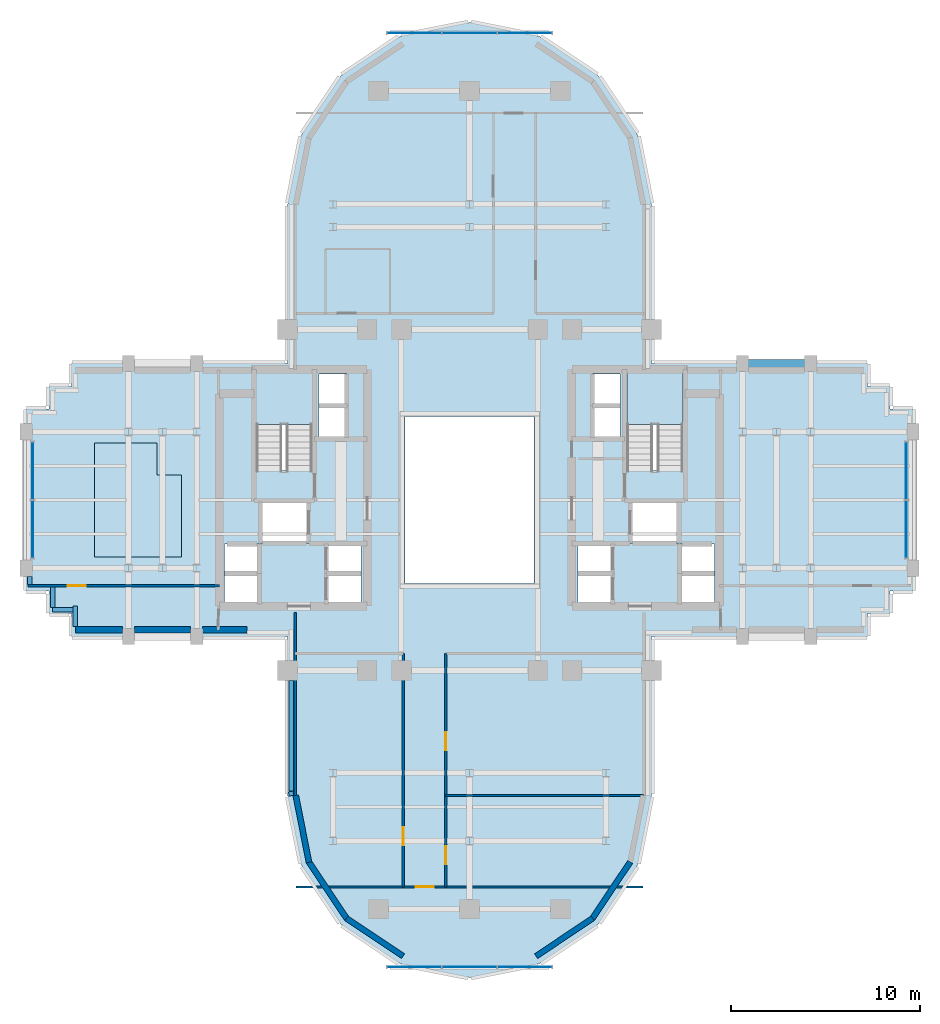
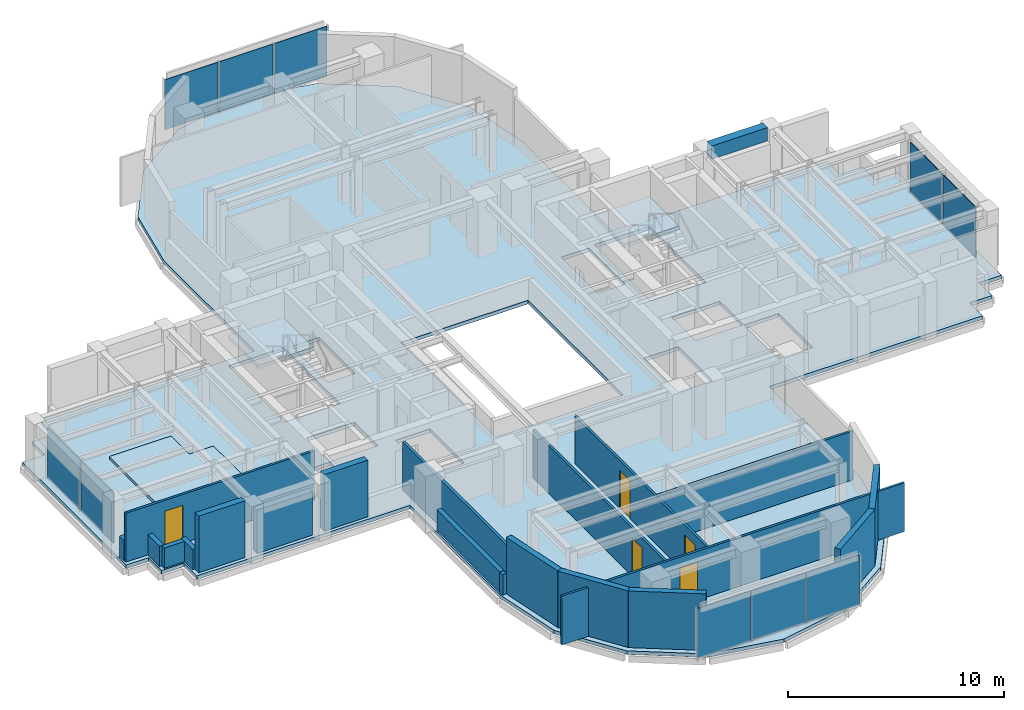
# One storey, part 7 of 13: 20 walls, 10 plates, 5 doors, 4 slabs, 1 beam, 5 openings, 6 elements without a shape of their own.
"""IFC4 building model written with IfcOpenShell, lengths in metres."""

from ifc_helpers import new_model, si_unit, direction, frame, frame_2d, origin, origin_2d, place, context, subcontext, project, spatial, polyline, rectangle, outline, extrude, source, transform, mapped, material, layer, layer_set, material_profile, profile_set, type_object, element, fill, aggregate, save


model = new_model("IFC4")

# Units and contexts
model_context = context("Model", 3, precision=1e-05, world=origin(), true_north=direction((0.0, 1.0)))
body_context = subcontext(model_context, "Body", "Model", "MODEL_VIEW")
ifc_project = project(units=[si_unit("LENGTHUNIT", "METRE"), si_unit("AREAUNIT", "SQUARE_METRE"), si_unit("VOLUMEUNIT", "CUBIC_METRE"), si_unit("PLANEANGLEUNIT", "RADIAN"), si_unit("MASSUNIT", "GRAM", prefix="KILO")], contexts=[model_context])

# Site, building, storey
site_placement = place(None, origin())
site = spatial("IfcSite", under=ifc_project, at=site_placement, CompositionType="ELEMENT")
building_placement = place(site_placement, origin())
building = spatial("IfcBuilding", under=site, at=building_placement, Name="Keilestroom Media Tower", CompositionType="ELEMENT")
storey_placement = place(building_placement, frame((0.0, 0.0, 97.199951171875)))
storey = spatial("IfcBuildingStorey", under=building, at=storey_placement, Name="L25", CompositionType="ELEMENT", Elevation=97.199951171875)

# Beam
ifc_material_1 = material(Name="Precast concrete C40/50", Category="concrete")
ifc_material_profile = material_profile(ifc_material_1, rectangle(XDim=0.449951171875, YDim=0.75, at=origin_2d()), Name="PC 450x750")
ifc_profile_set = profile_set([ifc_material_profile], Name="Precast concrete C40/50")
beam_type = type_object("IfcBeamType", Name="Perimeter-Spandrel-Beam-PC-450x750", PredefinedType="SPANDREL", material=ifc_profile_set)
shared_shape_1 = source(origin(), body_context, "Body", "SweptSolid", [
    extrude(rectangle(XDim=0.449951171875, YDim=0.75, at=origin_2d()), origin(), (0.0, 0.0, 1.0), 2.989990234375),
])
beam_placement = place(storey_placement, frame((14.705078125, 7.199951171875, 2.824951171875), z_axis=(1.0, 0.0, 0.0), x_axis=(0.0, 1.0, 0.0)))
element("IfcBeam", 1, at=beam_placement, inside=storey, type_object=beam_type, Name="L25 Beam SPB-1 BM-L25-EW-027", PredefinedType="SPANDREL", context=body_context, shape_type="MappedRepresentation", body=[
    mapped(shared_shape_1, transform((0.0, 0.0, 0.0), x_axis=(1.0, 0.0, 0.0), y_axis=(0.0, 1.0, 0.0), z_axis=(0.0, 0.0, 1.0), scale=1.0)),
])

# Slabs
ifc_material_2 = material(Name="Concrete C50/60", Category="concrete")
ifc_layer_1 = layer(ifc_material_2, 0.199951171875)
ifc_layer_set_1 = layer_set([ifc_layer_1], Name="Concrete C50/60")
slab_type_1 = type_object("IfcSlabType", Name="Composite-Floor-Slab-200", PredefinedType="FLOOR", material=ifc_layer_set_1)
slab_1_placement = place(storey_placement, frame((0.0, 0.0, -0.199951171875)))
element("IfcSlab", 2, at=slab_1_placement, inside=storey, type_object=slab_type_1, Name="L25 Structural Composite Floor Slab", PredefinedType="FLOOR", context=body_context, shape_type="SweptSolid", body=[
    extrude(outline(polyline([(23.39990234375, -4.800048828125), (23.39990234375, 4.800048828125), (22.199951171875, 4.800048828125), (22.199951171875, 6.0), (21.0, 6.0), (21.0, 7.199951171875), (9.60009765625, 7.199951171875), (9.60009765625, 9.60009765625), (9.60009765625, 15.60009765625), (8.869140625, 19.273681640625), (6.7880859375, 22.38818359375), (3.673828125, 24.46923828125), (0.0, 25.199951171875), (-3.673828125, 24.46923828125), (-6.7880859375, 22.38818359375), (-8.869140625, 19.273681640625), (-9.60009765625, 15.60009765625), (-9.60009765625, 9.60009765625), (-9.60009765625, 7.199951171875), (-21.0, 7.199951171875), (-21.0, 6.0), (-22.199951171875, 6.0), (-22.199951171875, 4.800048828125), (-23.39990234375, 4.800048828125), (-23.39990234375, -4.800048828125), (-22.199951171875, -4.800048828125), (-22.199951171875, -6.0), (-21.0, -6.0), (-21.0, -7.199951171875), (-9.60009765625, -7.199951171875), (-9.60009765625, -9.60009765625), (-9.60009765625, -15.60009765625), (-8.869140625, -19.273681640625), (-6.7880859375, -22.38818359375), (-3.673828125, -24.46923828125), (0.0, -25.199951171875), (3.673828125, -24.46923828125), (6.7880859375, -22.38818359375), (8.869140625, -19.273681640625), (9.60009765625, -15.60009765625), (9.60009765625, -9.60009765625), (9.60009765625, -7.199951171875), (21.0, -7.199951171875), (21.0, -6.0), (22.199951171875, -6.0), (22.199951171875, -4.800048828125), (23.39990234375, -4.800048828125)]), holes=[polyline([(-12.919921875, -5.47998046875), (-12.919921875, -2.320068359375), (-11.080078125, -2.320068359375), (-11.080078125, -5.47998046875), (-12.919921875, -5.47998046875)]), polyline([(-11.260009765625, 1.544921875), (-11.260009765625, 6.760009765625), (-8.300048828125, 6.760009765625), (-8.300048828125, 1.544921875), (-11.260009765625, 1.544921875)]), polyline([(-11.050048828125, -2.280029296875), (-11.050048828125, -0.10009765625), (-8.47998046875, -0.10009765625), (-8.47998046875, -2.280029296875), (-11.050048828125, -2.280029296875)]), polyline([(-7.949951171875, 3.300048828125), (-7.949951171875, 6.64990234375), (-6.47998046875, 6.64990234375), (-6.47998046875, 3.300048828125), (-7.949951171875, 3.300048828125)]), polyline([(-7.56005859375, -5.47998046875), (-7.56005859375, -2.320068359375), (-5.719970703125, -2.320068359375), (-5.719970703125, -5.47998046875), (-7.56005859375, -5.47998046875)]), polyline([(-3.39990234375, -4.39990234375), (-3.39990234375, 4.39990234375), (3.39990234375, 4.39990234375), (3.39990234375, -4.39990234375), (-3.39990234375, -4.39990234375)]), polyline([(5.719970703125, -5.47998046875), (5.719970703125, -2.320068359375), (7.56005859375, -2.320068359375), (7.56005859375, -5.47998046875), (5.719970703125, -5.47998046875)]), polyline([(7.949951171875, 6.64990234375), (7.949951171875, 3.300048828125), (6.47998046875, 3.300048828125), (6.47998046875, 6.64990234375), (7.949951171875, 6.64990234375)]), polyline([(8.300048828125, 6.760009765625), (11.260009765625, 6.760009765625), (11.260009765625, 1.544921875), (8.300048828125, 1.544921875), (8.300048828125, 6.760009765625)]), polyline([(8.47998046875, -2.280029296875), (8.47998046875, -0.10009765625), (11.050048828125, -0.10009765625), (11.050048828125, -2.280029296875), (8.47998046875, -2.280029296875)]), polyline([(12.919921875, -5.47998046875), (11.080078125, -5.47998046875), (11.080078125, -2.320068359375), (12.919921875, -2.320068359375), (12.919921875, -5.47998046875)])]), origin(), (0.0, 0.0, 1.0), 0.199951171875),
])
ifc_material_3 = material(Name="Concrete C45/55", Category="concrete")
ifc_layer_2 = layer(ifc_material_3, 0.14990234375)
ifc_layer_set_2 = layer_set([ifc_layer_2], Name="Concrete C45/55")
slab_type_2 = type_object("IfcSlabType", Name="Floating-Studio-Floor-Slab-150", PredefinedType="FLOOR", material=ifc_layer_set_2)
slab_2_placement = place(storey_placement, origin())
element("IfcSlab", 3, at=slab_2_placement, inside=storey, type_object=slab_type_2, Name="L25 Acoustic Floating Studio Slab ST-STR-Z2", PredefinedType="FLOOR", context=body_context, shape_type="SweptSolid", body=[
    extrude(outline(polyline([(-19.800048828125, -3.0), (-15.199951171875, -3.0), (-15.199951171875, 1.320068359375), (-16.488037109375, 1.320068359375), (-16.488037109375, 3.0), (-19.800048828125, 3.0), (-19.800048828125, -3.0)])), origin(), (0.0, 0.0, 1.0), 0.150146484375),
])

# Stair, slab
stair_type = type_object("IfcStairType", Name="Enclosed-Dog-Leg-Stair-ST-CORE", PredefinedType="HALF_TURN_STAIR", material=ifc_material_3)
stair_1_placement = place(storey_placement, origin())
stair_1 = element("IfcStair", 4, at=stair_1_placement, inside=storey, type_object=stair_type, Name="L25 West Core Escape Stair ST-1", PredefinedType="HALF_TURN_STAIR")
ifc_layer_3 = layer(ifc_material_3, 0.199951171875)
ifc_layer_set_3 = layer_set([ifc_layer_3], Name="Concrete C45/55")
slab_type_3 = type_object("IfcSlabType", Name="Stair-Intermediate-And-Top-Landing-Slab-200", PredefinedType="LANDING", material=ifc_layer_set_3)
slab_3_placement = place(storey_placement, frame((0.0, 0.0, 1.5)))
slab_3 = element("IfcSlab", 5, at=slab_3_placement, type_object=slab_type_3, Name="ST-1 landing 1", PredefinedType="LANDING", context=body_context, shape_type="SweptSolid", body=[
    extrude(outline(polyline([(-8.300048828125, 3.99609375), (-8.300048828125, 6.760009765625), (-11.260009765625, 6.760009765625), (-11.260009765625, 3.99609375), (-8.300048828125, 3.99609375)])), origin(), (0.0, 0.0, 1.0), 0.199951171875),
])
aggregate(stair_1, [slab_3])

stair_2_placement = place(storey_placement, origin())
stair_2 = element("IfcStair", 6, at=stair_2_placement, inside=storey, type_object=stair_type, Name="L25 East Core Escape Stair ST-2", PredefinedType="HALF_TURN_STAIR")
slab_4_placement = place(storey_placement, frame((0.0, 0.0, 1.5)))
slab_4 = element("IfcSlab", 7, at=slab_4_placement, type_object=slab_type_3, Name="ST-2 landing 1", PredefinedType="LANDING", context=body_context, shape_type="SweptSolid", body=[
    extrude(outline(polyline([(11.260009765625, 3.99609375), (11.260009765625, 6.760009765625), (8.300048828125, 6.760009765625), (8.300048828125, 3.99609375), (11.260009765625, 3.99609375)])), origin(), (0.0, 0.0, 1.0), 0.199951171875),
])
aggregate(stair_2, [slab_4])

# Curtain wall, plates
ifc_material_4 = material(Name="Anodised Aluminium Alloy", Category="aluminium")
curtain_wall_type_1 = type_object("IfcCurtainWallType", Name="Unitised-Curtain-Wall-CW-6", PredefinedType="NOTDEFINED", material=ifc_material_4)
curtain_wall_1_placement = place(storey_placement, origin())
curtain_wall_1 = element("IfcCurtainWall", 8, at=curtain_wall_1_placement, inside=storey, type_object=curtain_wall_type_1, Name="L25 Curtain Wall CW-6 CW-L25-LN-1", PredefinedType="NOTDEFINED")
ifc_material_5 = material(Name="Curved-Facet Triple Glazed Unit", Category="glass")
ifc_layer_4 = layer(ifc_material_5, 0.033935546875)
ifc_layer_set_4 = layer_set([ifc_layer_4], Name="Curved-Facet Triple Glazed Unit")
plate_type_1 = type_object("IfcPlateType", Name="Insulated-Curtain-Wall-Glazing-Panel-CW-6", PredefinedType="CURTAIN_PANEL", material=ifc_layer_set_4)
shared_shape_2 = source(origin(), body_context, "Body", "SweptSolid", [
    extrude(rectangle(XDim=2.84375, YDim=0.033935546875, at=origin_2d()), origin(), (0.0, 0.0, 1.0), 2.833984375),
])
plate_1_placement = place(storey_placement, frame((-2.9169921875, 24.64990234375, 0.072998046875), z_axis=(0.0, 0.0, 1.0), x_axis=(1.0, 0.0, 0.0)))
plate_1 = element("IfcPlate", 9, at=plate_1_placement, type_object=plate_type_1, Name="CW-6 Unitised Glazing 00", PredefinedType="CURTAIN_PANEL", context=body_context, shape_type="MappedRepresentation", body=[
    mapped(shared_shape_2, transform((0.0, 0.0, 0.0), x_axis=(1.0, 0.0, 0.0), y_axis=(0.0, 1.0, 0.0), z_axis=(0.0, 0.0, 1.0), scale=1.0)),
])
plate_2_placement = place(storey_placement, frame((2.9169921875, 24.64990234375, 0.072998046875), z_axis=(0.0, 0.0, 1.0), x_axis=(1.0, 0.0, 0.0)))
plate_2 = element("IfcPlate", 10, at=plate_2_placement, type_object=plate_type_1, Name="CW-6 Unitised Glazing 02", PredefinedType="CURTAIN_PANEL", context=body_context, shape_type="MappedRepresentation", body=[
    mapped(shared_shape_2, transform((0.0, 0.0, 0.0), x_axis=(1.0, 0.0, 0.0), y_axis=(0.0, 1.0, 0.0), z_axis=(0.0, 0.0, 1.0), scale=1.0)),
])

curtain_wall_2_placement = place(storey_placement, origin())
curtain_wall_2 = element("IfcCurtainWall", 11, at=curtain_wall_2_placement, inside=storey, type_object=curtain_wall_type_1, Name="L25 Curtain Wall CW-6 CW-L25-LS-1", PredefinedType="NOTDEFINED")
plate_3_placement = place(storey_placement, frame((-2.9169921875, -24.64990234375, 0.072998046875), z_axis=(0.0, 0.0, 1.0), x_axis=(1.0, 0.0, 0.0)))
plate_3 = element("IfcPlate", 12, at=plate_3_placement, type_object=plate_type_1, Name="CW-6 Unitised Glazing 00", PredefinedType="CURTAIN_PANEL", context=body_context, shape_type="MappedRepresentation", body=[
    mapped(shared_shape_2, transform((0.0, 0.0, 0.0), x_axis=(1.0, 0.0, 0.0), y_axis=(0.0, 1.0, 0.0), z_axis=(0.0, 0.0, 1.0), scale=1.0)),
])
plate_4_placement = place(storey_placement, frame((2.9169921875, -24.64990234375, 0.072998046875), z_axis=(0.0, 0.0, 1.0), x_axis=(1.0, 0.0, 0.0)))
plate_4 = element("IfcPlate", 13, at=plate_4_placement, type_object=plate_type_1, Name="CW-6 Unitised Glazing 02", PredefinedType="CURTAIN_PANEL", context=body_context, shape_type="MappedRepresentation", body=[
    mapped(shared_shape_2, transform((0.0, 0.0, 0.0), x_axis=(1.0, 0.0, 0.0), y_axis=(0.0, 1.0, 0.0), z_axis=(0.0, 0.0, 1.0), scale=1.0)),
])

# Plate
shared_shape_3 = source(origin(), body_context, "Body", "SweptSolid", [
    extrude(rectangle(XDim=2.876220703125, YDim=0.033935546875, at=origin_2d()), origin(), (0.0, 0.0, 1.0), 2.833984375),
])
plate_5_placement = place(storey_placement, frame((0.0, 24.64990234375, 0.072998046875), z_axis=(0.0, 0.0, 1.0), x_axis=(1.0, 0.0, 0.0)))
plate_5 = element("IfcPlate", 14, at=plate_5_placement, type_object=plate_type_1, Name="CW-6 Unitised Glazing 01", PredefinedType="CURTAIN_PANEL", context=body_context, shape_type="MappedRepresentation", body=[
    mapped(shared_shape_3, transform((0.0, 0.0, 0.0), x_axis=(1.0, 0.0, 0.0), y_axis=(0.0, 1.0, 0.0), z_axis=(0.0, 0.0, 1.0), scale=1.0)),
])

aggregate(curtain_wall_1, [plate_1, plate_5, plate_2])

plate_6_placement = place(storey_placement, frame((0.0, -24.64990234375, 0.072998046875), z_axis=(0.0, 0.0, 1.0), x_axis=(1.0, 0.0, 0.0)))
plate_6 = element("IfcPlate", 15, at=plate_6_placement, type_object=plate_type_1, Name="CW-6 Unitised Glazing 01", PredefinedType="CURTAIN_PANEL", context=body_context, shape_type="MappedRepresentation", body=[
    mapped(shared_shape_3, transform((0.0, 0.0, 0.0), x_axis=(1.0, 0.0, 0.0), y_axis=(0.0, 1.0, 0.0), z_axis=(0.0, 0.0, 1.0), scale=1.0)),
])

aggregate(curtain_wall_2, [plate_3, plate_6, plate_4])

# Curtain wall, plates
curtain_wall_type_2 = type_object("IfcCurtainWallType", Name="Unitised-Curtain-Wall-CW-2", PredefinedType="NOTDEFINED", material=ifc_material_4)
curtain_wall_3_placement = place(storey_placement, origin())
curtain_wall_3 = element("IfcCurtainWall", 16, at=curtain_wall_3_placement, inside=storey, type_object=curtain_wall_type_2, Name="L25 Curtain Wall CW-2 CW-L25-W-1", PredefinedType="NOTDEFINED")
ifc_material_6 = material(Name="Double Glazed Low-E Unit", Category="glass")
ifc_layer_5 = layer(ifc_material_6, 0.0419921875)
ifc_layer_set_5 = layer_set([ifc_layer_5], Name="Double Glazed Low-E Unit")
plate_type_2 = type_object("IfcPlateType", Name="Insulated-Curtain-Wall-Glazing-Panel-CW-2", PredefinedType="CURTAIN_PANEL", material=ifc_layer_set_5)
shared_shape_4 = source(origin(), body_context, "Body", "SweptSolid", [
    extrude(rectangle(XDim=3.01806640625, YDim=0.0419921875, at=origin_2d()), origin(), (0.0, 0.0, 1.0), 2.833984375),
])
plate_7_placement = place(storey_placement, frame((-23.050048828125, -1.5400390625, 0.072998046875), z_axis=(0.0, 0.0, 1.0), x_axis=(0.0, 1.0, 0.0)))
plate_7 = element("IfcPlate", 17, at=plate_7_placement, type_object=plate_type_2, Name="CW-2 Unitised Glazing 00", PredefinedType="CURTAIN_PANEL", context=body_context, shape_type="MappedRepresentation", body=[
    mapped(shared_shape_4, transform((0.0, 0.0, 0.0), x_axis=(1.0, 0.0, 0.0), y_axis=(0.0, 1.0, 0.0), z_axis=(0.0, 0.0, 1.0), scale=1.0)),
])
plate_8_placement = place(storey_placement, frame((-23.050048828125, 1.5400390625, 0.072998046875), z_axis=(0.0, 0.0, 1.0), x_axis=(0.0, 1.0, 0.0)))
plate_8 = element("IfcPlate", 18, at=plate_8_placement, type_object=plate_type_2, Name="CW-2 Unitised Glazing 01", PredefinedType="CURTAIN_PANEL", context=body_context, shape_type="MappedRepresentation", body=[
    mapped(shared_shape_4, transform((0.0, 0.0, 0.0), x_axis=(1.0, 0.0, 0.0), y_axis=(0.0, 1.0, 0.0), z_axis=(0.0, 0.0, 1.0), scale=1.0)),
])
aggregate(curtain_wall_3, [plate_7, plate_8])

curtain_wall_4_placement = place(storey_placement, origin())
curtain_wall_4 = element("IfcCurtainWall", 19, at=curtain_wall_4_placement, inside=storey, type_object=curtain_wall_type_2, Name="L25 Curtain Wall CW-2 CW-L25-E-1", PredefinedType="NOTDEFINED")
plate_9_placement = place(storey_placement, frame((23.050048828125, -1.5400390625, 0.072998046875), z_axis=(0.0, 0.0, 1.0), x_axis=(0.0, 1.0, 0.0)))
plate_9 = element("IfcPlate", 20, at=plate_9_placement, type_object=plate_type_2, Name="CW-2 Unitised Glazing 00", PredefinedType="CURTAIN_PANEL", context=body_context, shape_type="MappedRepresentation", body=[
    mapped(shared_shape_4, transform((0.0, 0.0, 0.0), x_axis=(1.0, 0.0, 0.0), y_axis=(0.0, 1.0, 0.0), z_axis=(0.0, 0.0, 1.0), scale=1.0)),
])
plate_10_placement = place(storey_placement, frame((23.050048828125, 1.5400390625, 0.072998046875), z_axis=(0.0, 0.0, 1.0), x_axis=(0.0, 1.0, 0.0)))
plate_10 = element("IfcPlate", 21, at=plate_10_placement, type_object=plate_type_2, Name="CW-2 Unitised Glazing 01", PredefinedType="CURTAIN_PANEL", context=body_context, shape_type="MappedRepresentation", body=[
    mapped(shared_shape_4, transform((0.0, 0.0, 0.0), x_axis=(1.0, 0.0, 0.0), y_axis=(0.0, 1.0, 0.0), z_axis=(0.0, 0.0, 1.0), scale=1.0)),
])
aggregate(curtain_wall_4, [plate_9, plate_10])

# Walls
ifc_layer_6 = layer(ifc_material_1, 0.300048828125)
ifc_layer_set_6 = layer_set([ifc_layer_6], Name="Precast concrete C40/50")
wall_type_1 = type_object("IfcWallType", Name="Exterior-Masonry-Spandrel-Wall-300", PredefinedType="SOLIDWALL", material=ifc_layer_set_6)
for number, where, z_axis, x_axis, name in (
    (22, (-9.1748046875, -15.585205078125, 0.0), (0.0, 0.0, 1.0), (0.195114232679, -0.980780523974, 0.0), "L25 Lobe Facet Precast Frame Wall 07"),
    (23, (-8.48193359375, -19.097412109375, 0.0), (0.0, 0.0, 1.0), (0.555574187116, -0.831466970246, 0.0), "L25 Lobe Facet Precast Frame Wall 08"),
):
    element("IfcWall", number, at=place(storey_placement, frame(where, z_axis=z_axis, x_axis=x_axis)), inside=storey, type_object=wall_type_1, Name=name, PredefinedType="SOLIDWALL", context=body_context, shape_type="SweptSolid", body=[
        extrude(rectangle(XDim=3.608642578125, YDim=0.300048828125, at=frame_2d((1.80419921875, 0.0))), origin(), (0.0, 0.0, 1.0), 3.199951171875),
    ])
for number, where, z_axis, x_axis, name in (
    (24, (-6.497802734375, -22.0771484375, 0.0), (0.0, 0.0, 1.0), (0.8314749531, -0.555562239868, 0.0), "L25 Lobe Facet Precast Frame Wall 09"),
    (25, (3.510009765625, -24.073486328125, 0.0), (0.0, 0.0, 1.0), (0.8314749531, 0.555562239868, 0.0), "L25 Lobe Facet Precast Frame Wall 10"),
):
    element("IfcWall", number, at=place(storey_placement, frame(where, z_axis=z_axis, x_axis=x_axis)), inside=storey, type_object=wall_type_1, Name=name, PredefinedType="SOLIDWALL", context=body_context, shape_type="SweptSolid", body=[
        extrude(rectangle(XDim=3.59326171875, YDim=0.300048828125, at=frame_2d((1.796630859375, 0.0))), origin(), (0.0, 0.0, 1.0), 3.199951171875),
    ])
wall_1_placement = place(storey_placement, frame((6.47705078125, -22.097900390625, 0.0), z_axis=(0.0, 0.0, 1.0), x_axis=(0.555574187116, 0.831466970246, 0.0)))
element("IfcWall", 26, at=wall_1_placement, inside=storey, type_object=wall_type_1, Name="L25 Lobe Facet Precast Frame Wall 11", PredefinedType="SOLIDWALL", context=body_context, shape_type="SweptSolid", body=[
    extrude(rectangle(XDim=3.608642578125, YDim=0.300048828125, at=frame_2d((1.80419921875, 0.0))), origin(), (0.0, 0.0, 1.0), 3.199951171875),
])
ifc_layer_7 = layer(ifc_material_1, 0.340087890625)
ifc_layer_set_7 = layer_set([ifc_layer_7], Name="Precast concrete C40/50")
wall_type_2 = type_object("IfcWallType", Name="Exterior-Masonry-Spandrel-Wall-340", PredefinedType="SOLIDWALL", material=ifc_layer_set_7)
wall_2_placement = place(storey_placement, frame((-20.800048828125, -6.85009765625, 0.0), z_axis=(0.0, 0.0, 1.0), x_axis=(1.0, 0.0, 0.0)))
element("IfcWall", 27, at=wall_2_placement, inside=storey, type_object=wall_type_2, Name="L25 Flank Masonry Wall EWL-L25-SW-1", PredefinedType="SOLIDWALL", context=body_context, shape_type="SweptSolid", body=[
    extrude(rectangle(XDim=2.483154296875, YDim=0.340087890625, at=frame_2d((1.24169921875, 0.0))), origin(), (0.0, 0.0, 1.0), 3.199951171875),
])
wall_3_placement = place(storey_placement, frame((-17.68310546875, -6.85009765625, 0.0), z_axis=(0.0, 0.0, 1.0), x_axis=(1.0, 0.0, 0.0)))
element("IfcWall", 28, at=wall_3_placement, inside=storey, type_object=wall_type_2, Name="L25 Flank Masonry Wall EWL-L25-SW-2", PredefinedType="SOLIDWALL", context=body_context, shape_type="SweptSolid", body=[
    extrude(rectangle(XDim=2.966064453125, YDim=0.340087890625, at=frame_2d((1.48291015625, 0.0))), origin(), (0.0, 0.0, 1.0), 2.449951171875),
])
wall_4_placement = place(storey_placement, frame((-14.0830078125, -6.85009765625, 0.0), z_axis=(0.0, 0.0, 1.0), x_axis=(1.0, 0.0, 0.0)))
element("IfcWall", 29, at=wall_4_placement, inside=storey, type_object=wall_type_2, Name="L25 Flank Masonry Wall EWL-L25-SW-3", PredefinedType="SOLIDWALL", context=body_context, shape_type="SweptSolid", body=[
    extrude(rectangle(XDim=2.3330078125, YDim=0.340087890625, at=frame_2d((1.16650390625, 0.0))), origin(), (0.0, 0.0, 1.0), 3.199951171875),
])

# Wall, opening, door
ifc_material_7 = material(Name="Gypsum Plasterboard & Steel Stud", Category="steel")
ifc_layer_8 = layer(ifc_material_7, 0.1201171875)
ifc_layer_set_8 = layer_set([ifc_layer_8], Name="Gypsum Plasterboard & Steel Stud")
wall_type_3 = type_object("IfcWallType", Name="Interior-Partition-Wall-120", PredefinedType="PARTITIONING", material=ifc_layer_set_8)
wall_5_placement = place(storey_placement, frame((-3.5, -20.419921875, 0.0), z_axis=(0.0, 0.0, 1.0), x_axis=(0.0, 1.0, 0.0)))
wall_5 = element("IfcWall", 30, at=wall_5_placement, inside=storey, type_object=wall_type_3, Name="L25 Interior Wall WP-L25-SL-SPW", PredefinedType="PARTITIONING", context=body_context, shape_type="SweptSolid", body=[
    extrude(rectangle(XDim=12.31982421875, YDim=0.1201171875, at=frame_2d((6.159912109375, 0.0))), origin(), (0.0, 0.0, 1.0), 2.699951171875),
])
opening_1_placement = place(wall_5_placement, frame((2.199951171875, 0.0, 0.0)))
opening_1 = element("IfcOpeningElement", 31, at=opening_1_placement, cuts=wall_5, Name="Opening DI-03", PredefinedType="OPENING", context=body_context, shape_type="SweptSolid", body=[
    extrude(rectangle(XDim=0.949951171875, YDim=2.14990234375, at=frame_2d((0.47509765625, 1.074951171875))), frame((0.0, 0.070068359375, 0.0), z_axis=(0.0, -1.0, 0.0), x_axis=(1.0, 0.0, 0.0)), (0.0, 0.0, 1.0), 0.14013671875),
])
ifc_material_8 = material(Name="Lacquered European Oak Leaf", Category="wood")
door_type = type_object("IfcDoorType", Name="Interior-Room-And-Suite-Door-DI-03", OperationType="NOTDEFINED", PredefinedType="DOOR", material=ifc_material_8)
shared_shape_5 = source(origin(), body_context, "Body", "SweptSolid", [
    extrude(rectangle(XDim=0.949951171875, YDim=2.14990234375, at=frame_2d((0.47509765625, 1.074951171875))), frame((0.0, 0.02490234375, 0.0), z_axis=(0.0, -1.0, 0.0), x_axis=(1.0, 0.0, 0.0)), (0.0, 0.0, 1.0), 0.050048828125),
])
door_1_placement = place(opening_1_placement, origin())
door_1 = element("IfcDoor", 32, at=door_1_placement, inside=storey, type_object=door_type, Name="L25 Interior Door DI-L25-DSL-W1", OperationType="SINGLE_SWING_LEFT", OverallHeight=2.14990234375, OverallWidth=0.949951171875, PredefinedType="DOOR", context=body_context, shape_type="MappedRepresentation", body=[
    mapped(shared_shape_5, transform((0.0, 0.0, 0.0), x_axis=(1.0, 0.0, 0.0), y_axis=(0.0, 1.0, 0.0), z_axis=(0.0, 0.0, 1.0), scale=1.0)),
])
fill(opening_1, door_1)

# Wall, openings, doors
wall_6_placement = place(storey_placement, frame((-1.260009765625, -20.419921875, 0.0), z_axis=(0.0, 0.0, 1.0), x_axis=(0.0, 1.0, 0.0)))
wall_6 = element("IfcWall", 33, at=wall_6_placement, inside=storey, type_object=wall_type_3, Name="L25 Interior Wall WP-L25-SL-SPE", PredefinedType="PARTITIONING", context=body_context, shape_type="SweptSolid", body=[
    extrude(rectangle(XDim=12.31982421875, YDim=0.1201171875, at=frame_2d((6.159912109375, 0.0))), origin(), (0.0, 0.0, 1.0), 2.699951171875),
])
opening_2_placement = place(wall_6_placement, frame((7.219970703125, 0.0, 0.0)))
opening_2 = element("IfcOpeningElement", 34, at=opening_2_placement, cuts=wall_6, Name="Opening DI-03", PredefinedType="OPENING", context=body_context, shape_type="SweptSolid", body=[
    extrude(rectangle(XDim=0.949951171875, YDim=2.14990234375, at=frame_2d((0.47509765625, 1.074951171875))), frame((0.0, 0.070068359375, 0.0), z_axis=(0.0, -1.0, 0.0), x_axis=(1.0, 0.0, 0.0)), (0.0, 0.0, 1.0), 0.14013671875),
])
opening_3_placement = place(wall_6_placement, frame((1.199951171875, 0.0, 0.0)))
opening_3 = element("IfcOpeningElement", 35, at=opening_3_placement, cuts=wall_6, Name="Opening DI-03", PredefinedType="OPENING", context=body_context, shape_type="SweptSolid", body=[
    extrude(rectangle(XDim=0.949951171875, YDim=2.14990234375, at=frame_2d((0.47509765625, 1.074951171875))), frame((0.0, 0.070068359375, 0.0), z_axis=(0.0, -1.0, 0.0), x_axis=(1.0, 0.0, 0.0)), (0.0, 0.0, 1.0), 0.14013671875),
])
door_2_placement = place(opening_2_placement, origin())
door_2 = element("IfcDoor", 36, at=door_2_placement, inside=storey, type_object=door_type, Name="L25 Interior Door DI-L25-DSL-E1", OperationType="SINGLE_SWING_LEFT", OverallHeight=2.14990234375, OverallWidth=0.949951171875, PredefinedType="DOOR", context=body_context, shape_type="MappedRepresentation", body=[
    mapped(shared_shape_5, transform((0.0, 0.0, 0.0), x_axis=(1.0, 0.0, 0.0), y_axis=(0.0, 1.0, 0.0), z_axis=(0.0, 0.0, 1.0), scale=1.0)),
])
fill(opening_2, door_2)
door_3_placement = place(opening_3_placement, origin())
door_3 = element("IfcDoor", 37, at=door_3_placement, inside=storey, type_object=door_type, Name="L25 Interior Door DI-L25-DSL-E2", OperationType="SINGLE_SWING_RIGHT", OverallHeight=2.14990234375, OverallWidth=0.949951171875, PredefinedType="DOOR", context=body_context, shape_type="MappedRepresentation", body=[
    mapped(shared_shape_5, transform((0.0, 0.0, 0.0), x_axis=(1.0, 0.0, 0.0), y_axis=(0.0, 1.0, 0.0), z_axis=(0.0, 0.0, 1.0), scale=1.0)),
])
fill(opening_3, door_3)

# Wall, opening, door
wall_7_placement = place(storey_placement, frame((-9.159912109375, -20.419921875, 0.0), z_axis=(0.0, 0.0, 1.0), x_axis=(1.0, 0.0, 0.0)))
wall_7 = element("IfcWall", 38, at=wall_7_placement, inside=storey, type_object=wall_type_3, Name="L25 Interior Wall WP-L25-SL-STIPW", PredefinedType="PARTITIONING", context=body_context, shape_type="SweptSolid", body=[
    extrude(rectangle(XDim=18.31982421875, YDim=0.1201171875, at=frame_2d((9.159912109375, 0.0))), origin(), (0.0, 0.0, 1.0), 2.760009765625),
])
opening_4_placement = place(wall_7_placement, frame((6.31005859375, 0.0, 0.0)))
opening_4 = element("IfcOpeningElement", 39, at=opening_4_placement, cuts=wall_7, Name="Opening DI-03", PredefinedType="OPENING", context=body_context, shape_type="SweptSolid", body=[
    extrude(rectangle(XDim=0.949951171875, YDim=2.14990234375, at=frame_2d((0.47509765625, 1.074951171875))), frame((0.0, 0.070068359375, 0.0), z_axis=(0.0, -1.0, 0.0), x_axis=(1.0, 0.0, 0.0)), (0.0, 0.0, 1.0), 0.14013671875),
])
door_4_placement = place(opening_4_placement, origin())
door_4 = element("IfcDoor", 40, at=door_4_placement, inside=storey, type_object=door_type, Name="L25 Interior Door DI-L25-DSL-TIP", OperationType="SINGLE_SWING_RIGHT", OverallHeight=2.14990234375, OverallWidth=0.949951171875, PredefinedType="DOOR", context=body_context, shape_type="MappedRepresentation", body=[
    mapped(shared_shape_5, transform((0.0, 0.0, 0.0), x_axis=(1.0, 0.0, 0.0), y_axis=(0.0, 1.0, 0.0), z_axis=(0.0, 0.0, 1.0), scale=1.0)),
])
fill(opening_4, door_4)

# Wall
wall_8_placement = place(storey_placement, frame((-1.260009765625, -15.60009765625, 0.0), z_axis=(0.0, 0.0, 1.0), x_axis=(1.0, 0.0, 0.0)))
element("IfcWall", 41, at=wall_8_placement, inside=storey, type_object=wall_type_3, Name="L25 Interior Wall WP-L25-SL-HEM", PredefinedType="PARTITIONING", context=body_context, shape_type="SweptSolid", body=[
    extrude(rectangle(XDim=10.4599609375, YDim=0.1201171875, at=frame_2d((5.22998046875, 0.0))), origin(), (0.0, 0.0, 1.0), 2.760009765625),
])

# Wall, opening, door
wall_9_placement = place(storey_placement, frame((-23.300048828125, -4.530029296875, 0.0), z_axis=(0.0, 0.0, 1.0), x_axis=(1.0, 0.0, 0.0)))
wall_9 = element("IfcWall", 42, at=wall_9_placement, inside=storey, type_object=wall_type_3, Name="L25 Interior Wall WP-L25-WA-CN", PredefinedType="PARTITIONING", context=body_context, shape_type="SweptSolid", body=[
    extrude(rectangle(XDim=10.10009765625, YDim=0.1201171875, at=frame_2d((5.050048828125, 0.0))), origin(), (0.0, 0.0, 1.0), 2.760009765625),
])
opening_5_placement = place(wall_9_placement, frame((2.10009765625, 0.0, 0.0)))
opening_5 = element("IfcOpeningElement", 43, at=opening_5_placement, cuts=wall_9, Name="Opening DI-03", PredefinedType="OPENING", context=body_context, shape_type="SweptSolid", body=[
    extrude(rectangle(XDim=0.949951171875, YDim=2.14990234375, at=frame_2d((0.47509765625, 1.074951171875))), frame((0.0, 0.070068359375, 0.0), z_axis=(0.0, -1.0, 0.0), x_axis=(1.0, 0.0, 0.0)), (0.0, 0.0, 1.0), 0.14013671875),
])
door_5_placement = place(opening_5_placement, origin())
door_5 = element("IfcDoor", 44, at=door_5_placement, inside=storey, type_object=door_type, Name="L25 Interior Door DI-L25-DWA-RN", OperationType="SINGLE_SWING_RIGHT", OverallHeight=2.14990234375, OverallWidth=0.949951171875, PredefinedType="DOOR", context=body_context, shape_type="MappedRepresentation", body=[
    mapped(shared_shape_5, transform((0.0, 0.0, 0.0), x_axis=(1.0, 0.0, 0.0), y_axis=(0.0, 1.0, 0.0), z_axis=(0.0, 0.0, 1.0), scale=1.0)),
])
fill(opening_5, door_5)

# Walls
ifc_layer_9 = layer(ifc_material_7, 0.14990234375)
ifc_layer_set_9 = layer_set([ifc_layer_9], Name="Gypsum Plasterboard & Steel Stud")
wall_type_4 = type_object("IfcWallType", Name="Interior-Partition-Wall-150", PredefinedType="PARTITIONING", material=ifc_layer_set_9)
wall_10_placement = place(storey_placement, frame((-9.199951171875, -15.679931640625, 0.0), z_axis=(0.0, 0.0, 1.0), x_axis=(0.0, 1.0, 0.0)))
element("IfcWall", 45, at=wall_10_placement, inside=storey, type_object=wall_type_4, Name="L25 Interior Wall WP-L25-SL-CHKW", PredefinedType="PARTITIONING", context=body_context, shape_type="SweptSolid", body=[
    extrude(rectangle(XDim=9.739990234375, YDim=0.14990234375, at=frame_2d((4.8701171875, 0.0))), origin(), (0.0, 0.0, 1.0), 2.699951171875),
])
ifc_layer_10 = layer(ifc_material_1, 0.239990234375)
ifc_layer_set_10 = layer_set([ifc_layer_10], Name="Precast concrete C40/50")
wall_type_5 = type_object("IfcWallType", Name="Roof-And-Terrace-Parapet-Wall-240", PredefinedType="PARAPET", material=ifc_layer_set_10)
wall_11_placement = place(storey_placement, frame((-9.395263671875, -15.604248046875, 0.0), z_axis=(0.0, 0.0, 1.0), x_axis=(-0.194652052864, 0.980872355771, 0.0)))
element("IfcWall", 46, at=wall_11_placement, inside=storey, type_object=wall_type_5, Name="L25 Perimeter Edge Parapet Wall 07", PredefinedType="PARAPET", context=body_context, shape_type="SweptSolid", body=[
    extrude(rectangle(XDim=0.224609375, YDim=0.239990234375, at=frame_2d((0.1123046875, 0.0))), origin(), (0.0, 0.0, 1.0), 1.150146484375),
])
wall_12_placement = place(storey_placement, frame((-9.39990234375, -15.357666015625, 0.0), z_axis=(0.0, 0.0, 1.0), x_axis=(0.0, 1.0, 0.0)))
element("IfcWall", 47, at=wall_12_placement, inside=storey, type_object=wall_type_5, Name="L25 Perimeter Edge Parapet Wall 08", PredefinedType="PARAPET", context=body_context, shape_type="SweptSolid", body=[
    extrude(rectangle(XDim=5.82958984375, YDim=0.239990234375, at=frame_2d((2.914794921875, 0.0))), origin(), (0.0, 0.0, 1.0), 1.150146484375),
])
for number, where, z_axis, x_axis, name in (
    (48, (-20.800048828125, -6.677001953125, 0.0), (0.0, 0.0, 1.0), (0.0, 1.0, 0.0), "L25 Perimeter Edge Parapet Wall 11"),
    (49, (-20.923095703125, -5.800048828125, 0.0), (0.0, 0.0, 1.0), (-1.0, 0.0, 0.0), "L25 Perimeter Edge Parapet Wall 12"),
):
    element("IfcWall", number, at=place(storey_placement, frame(where, z_axis=z_axis, x_axis=x_axis)), inside=storey, type_object=wall_type_5, Name=name, PredefinedType="PARAPET", context=body_context, shape_type="SweptSolid", body=[
        extrude(rectangle(XDim=1.076904296875, YDim=0.239990234375, at=frame_2d((0.53857421875, 0.0))), origin(), (0.0, 0.0, 1.0), 1.150146484375),
    ])
wall_13_placement = place(storey_placement, frame((-22.0, -5.677001953125, 0.0), z_axis=(0.0, 0.0, 1.0), x_axis=(0.0, 1.0, 0.0)))
element("IfcWall", 50, at=wall_13_placement, inside=storey, type_object=wall_type_5, Name="L25 Perimeter Edge Parapet Wall 13", PredefinedType="PARAPET", context=body_context, shape_type="SweptSolid", body=[
    extrude(rectangle(XDim=1.083984375, YDim=0.239990234375, at=frame_2d((0.5419921875, 0.0))), origin(), (0.0, 0.0, 1.0), 1.150146484375),
])
wall_14_placement = place(storey_placement, frame((-23.199951171875, -4.467041015625, 0.0), z_axis=(0.0, 0.0, 1.0), x_axis=(0.0, 1.0, 0.0)))
element("IfcWall", 51, at=wall_14_placement, inside=storey, type_object=wall_type_5, Name="L25 Perimeter Edge Parapet Wall 14", PredefinedType="PARAPET", context=body_context, shape_type="SweptSolid", body=[
    extrude(rectangle(XDim=0.43896484375, YDim=0.239990234375, at=frame_2d((0.219482421875, 0.0))), origin(), (0.0, 0.0, 1.0), 1.150146484375),
])

save(model, "model.ifc")
